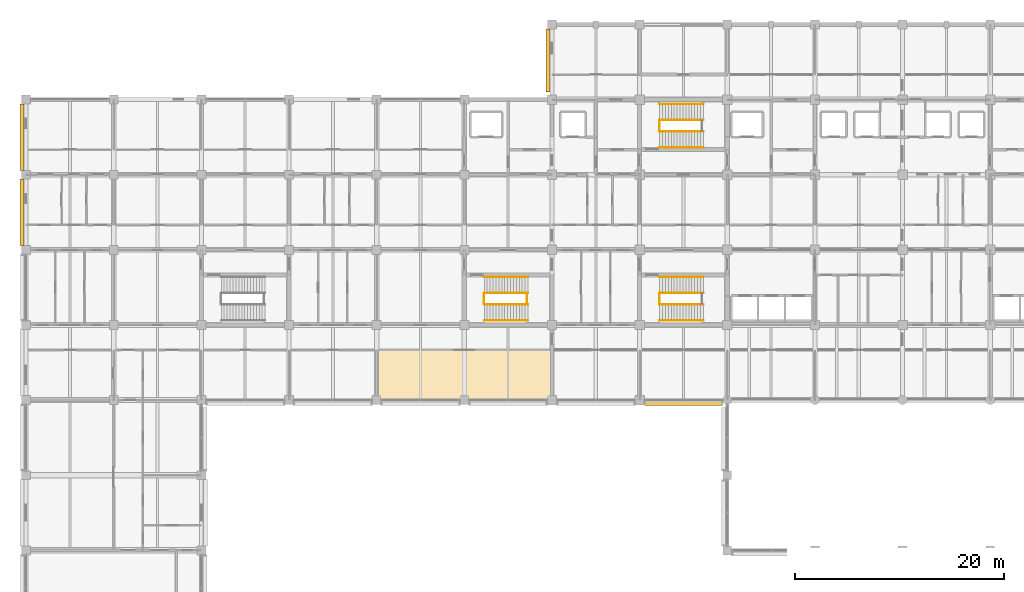
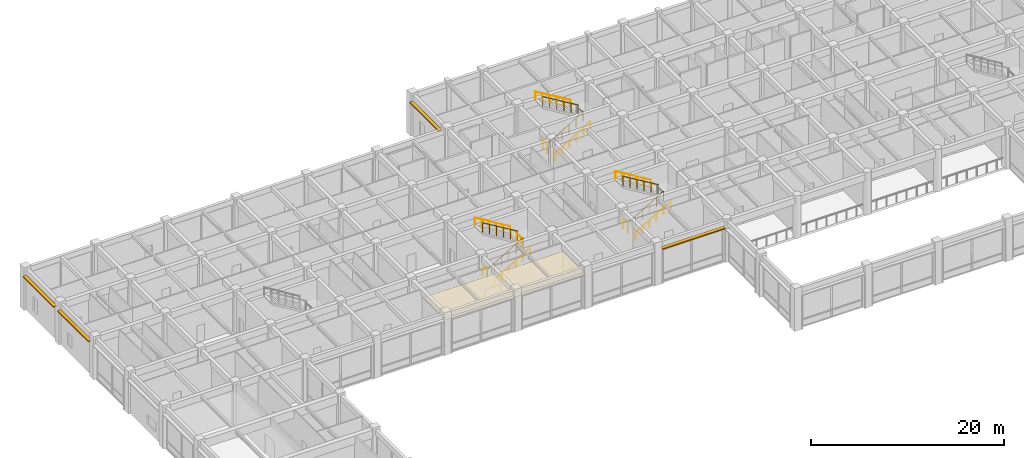
# One storey, part 47 of 51: 16 railings, 4 shading devices, 1 covering.
"""IFC4 building model written with IfcOpenShell, lengths in metres."""

from ifc_helpers import new_model, si_unit, direction, frame, origin, origin_2d, place, context, subcontext, project, spatial, polyline, rectangle, circle, outline, extrude, material, layer, layer_set, type_object, element, save


model = new_model("IFC4")

# Units and contexts
model_context = context("Model", 3, precision=1e-05, world=origin(), true_north=direction((0.0, 1.0)))
body_context = subcontext(model_context, "Body", "Model", "MODEL_VIEW")
ifc_project = project(units=[si_unit("LENGTHUNIT", "METRE"), si_unit("AREAUNIT", "SQUARE_METRE"), si_unit("VOLUMEUNIT", "CUBIC_METRE"), si_unit("PLANEANGLEUNIT", "RADIAN"), si_unit("MASSUNIT", "GRAM", prefix="KILO")], contexts=[model_context])

# Site, building, storey
site_placement = place(None, origin())
site = spatial("IfcSite", under=ifc_project, at=site_placement, CompositionType="ELEMENT")
building_placement = place(site_placement, origin())
building = spatial("IfcBuilding", under=site, at=building_placement, Name="Chengyuan Square Courthouse", CompositionType="ELEMENT")
storey_placement = place(building_placement, frame((0.0, 0.0, 10.800048828125)))
storey = spatial("IfcBuildingStorey", under=building, at=storey_placement, Name="L03", CompositionType="ELEMENT", Elevation=10.800048828125)

# Covering
ifc_material_1 = material(Name="Perforated Larch Glulam Acoustic Slat Ceiling", Category="wood")
ifc_layer = layer(ifc_material_1, 0.044921875)
ifc_layer_set = layer_set([ifc_layer], Name="Perforated Larch Glulam Acoustic Slat Ceiling")
covering_type = type_object("IfcCoveringType", Name="CLG-01", PredefinedType="CEILING", material=ifc_layer_set)
covering_placement = place(storey_placement, frame((0.0, 0.0, 4.02001953125)))
element("IfcCovering", 1, at=covering_placement, inside=storey, type_object=covering_type, Name="Acoustic Timber Slat Ceiling CLG-L03-CRT-303", PredefinedType="CEILING", context=body_context, shape_type="SweptSolid", body=[
    extrude(outline(polyline([(33.64990234375, 79.25), (50.35009765625, 79.25), (50.35009765625, 83.949951171875), (33.64990234375, 83.949951171875), (33.64990234375, 79.25)])), origin(), (0.0, 0.0, 1.0), 0.044921875),
])

# Railings
ifc_material_2 = material(Name="Tempered Glass and Timber Top-Rail Balustrade", Category="wood")
railing_type_1 = type_object("IfcRailingType", Name="RL-02", PredefinedType="BALUSTRADE", material=ifc_material_2)
railing_1_placement = place(storey_placement, frame((60.68994140625, 105.0, 0.0)))
element("IfcRailing", 2, at=railing_1_placement, inside=storey, type_object=railing_type_1, Name="Stair Floor Slot Guard ST-1 L03", PredefinedType="BALUSTRADE", context=body_context, shape_type="SweptSolid", body=[
    extrude(circle(Radius=0.02392578125, at=origin_2d()), frame((0.0, 0.0, 1.17578125), z_axis=(0.0, 1.0, 0.0), x_axis=(-1.0, 0.0, 0.0)), (0.0, 0.0, 1.0), 1.0),
    extrude(circle(Radius=0.02099609375, at=origin_2d()), origin(), (0.0, 0.0, 1.0), 1.15185546875),
    extrude(circle(Radius=0.02099609375, at=origin_2d()), frame((0.0, 1.0, 0.0)), (0.0, 0.0, 1.0), 1.15185546875),
])
railing_2_placement = place(storey_placement, frame((60.7099609375, 104.949951171875, 0.168701171875)))
element("IfcRailing", 3, at=railing_2_placement, inside=storey, type_object=railing_type_1, Name="Stair Flight 1 Guard ST-1-L03", PredefinedType="BALUSTRADE", context=body_context, shape_type="SweptSolid", body=[
    extrude(circle(Radius=0.02392578125, at=origin_2d()), frame((0.0, 0.0, 1.17578125), z_axis=(0.856476492594, 0.0, 0.516186030065), x_axis=(0.0, 1.0, 0.0)), (0.0, 0.0, 1.0), 4.90380859375),
    extrude(circle(Radius=0.02099609375, at=origin_2d()), origin(), (0.0, 0.0, 1.0), 1.15185546875),
    extrude(circle(Radius=0.02099609375, at=origin_2d()), frame((0.840087890625, 0.0, 0.50634765625)), (0.0, 0.0, 1.0), 1.15185546875),
    extrude(circle(Radius=0.02099609375, at=origin_2d()), frame((1.679931640625, 0.0, 1.012451171875)), (0.0, 0.0, 1.0), 1.15185546875),
    extrude(circle(Radius=0.02099609375, at=origin_2d()), frame((2.52001953125, 0.0, 1.518798828125)), (0.0, 0.0, 1.0), 1.15185546875),
    extrude(circle(Radius=0.02099609375, at=origin_2d()), frame((3.35986328125, 0.0, 2.02490234375)), (0.0, 0.0, 1.0), 1.15185546875),
    extrude(circle(Radius=0.02099609375, at=origin_2d()), frame((4.199951171875, 0.0, 2.53125)), (0.0, 0.0, 1.0), 1.15185546875),
])
railing_3_placement = place(storey_placement, frame((64.909912109375, 106.050048828125, 2.86865234375)))
element("IfcRailing", 4, at=railing_3_placement, inside=storey, type_object=railing_type_1, Name="Stair Flight 2 Guard ST-1-L03", PredefinedType="BALUSTRADE", context=body_context, shape_type="SweptSolid", body=[
    extrude(circle(Radius=0.02392578125, at=origin_2d()), frame((0.0, 0.0, 1.17578125), z_axis=(-0.856476492594, 0.0, 0.516186030065), x_axis=(0.0, -1.0, 0.0)), (0.0, 0.0, 1.0), 4.90380859375),
    extrude(circle(Radius=0.02099609375, at=origin_2d()), origin(), (0.0, 0.0, 1.0), 1.15185546875),
    extrude(circle(Radius=0.02099609375, at=origin_2d()), frame((-0.840087890625, 0.0, 0.50634765625)), (0.0, 0.0, 1.0), 1.15185546875),
    extrude(circle(Radius=0.02099609375, at=origin_2d()), frame((-1.679931640625, 0.0, 1.012451171875)), (0.0, 0.0, 1.0), 1.15185546875),
    extrude(circle(Radius=0.02099609375, at=origin_2d()), frame((-2.52001953125, 0.0, 1.518798828125)), (0.0, 0.0, 1.0), 1.15185546875),
    extrude(circle(Radius=0.02099609375, at=origin_2d()), frame((-3.35986328125, 0.0, 2.02490234375)), (0.0, 0.0, 1.0), 1.15185546875),
    extrude(circle(Radius=0.02099609375, at=origin_2d()), frame((-4.199951171875, 0.0, 2.53125)), (0.0, 0.0, 1.0), 1.15185546875),
])
railing_4_placement = place(storey_placement, frame((60.68994140625, 88.39990234375, 0.0)))
element("IfcRailing", 5, at=railing_4_placement, inside=storey, type_object=railing_type_1, Name="Stair Floor Slot Guard ST-3 L03", PredefinedType="BALUSTRADE", context=body_context, shape_type="SweptSolid", body=[
    extrude(circle(Radius=0.02392578125, at=origin_2d()), frame((0.0, 0.0, 1.17578125), z_axis=(0.0, 1.0, 0.0), x_axis=(-1.0, 0.0, 0.0)), (0.0, 0.0, 1.0), 1.0),
    extrude(circle(Radius=0.02099609375, at=origin_2d()), origin(), (0.0, 0.0, 1.0), 1.15185546875),
    extrude(circle(Radius=0.02099609375, at=origin_2d()), frame((0.0, 1.0, 0.0)), (0.0, 0.0, 1.0), 1.15185546875),
])
railing_5_placement = place(storey_placement, frame((60.7099609375, 88.35009765625, 0.168701171875)))
element("IfcRailing", 6, at=railing_5_placement, inside=storey, type_object=railing_type_1, Name="Stair Flight 1 Guard ST-3-L03", PredefinedType="BALUSTRADE", context=body_context, shape_type="SweptSolid", body=[
    extrude(circle(Radius=0.02392578125, at=origin_2d()), frame((0.0, 0.0, 1.17578125), z_axis=(0.856476492594, 0.0, 0.516186030065), x_axis=(0.0, 1.0, 0.0)), (0.0, 0.0, 1.0), 4.90380859375),
    extrude(circle(Radius=0.02099609375, at=origin_2d()), origin(), (0.0, 0.0, 1.0), 1.15185546875),
    extrude(circle(Radius=0.02099609375, at=origin_2d()), frame((0.840087890625, 0.0, 0.50634765625)), (0.0, 0.0, 1.0), 1.15185546875),
    extrude(circle(Radius=0.02099609375, at=origin_2d()), frame((1.679931640625, 0.0, 1.012451171875)), (0.0, 0.0, 1.0), 1.15185546875),
    extrude(circle(Radius=0.02099609375, at=origin_2d()), frame((2.52001953125, 0.0, 1.518798828125)), (0.0, 0.0, 1.0), 1.15185546875),
    extrude(circle(Radius=0.02099609375, at=origin_2d()), frame((3.35986328125, 0.0, 2.02490234375)), (0.0, 0.0, 1.0), 1.15185546875),
    extrude(circle(Radius=0.02099609375, at=origin_2d()), frame((4.199951171875, 0.0, 2.53125)), (0.0, 0.0, 1.0), 1.15185546875),
])
railing_6_placement = place(storey_placement, frame((64.909912109375, 89.449951171875, 2.86865234375)))
element("IfcRailing", 7, at=railing_6_placement, inside=storey, type_object=railing_type_1, Name="Stair Flight 2 Guard ST-3-L03", PredefinedType="BALUSTRADE", context=body_context, shape_type="SweptSolid", body=[
    extrude(circle(Radius=0.02392578125, at=origin_2d()), frame((0.0, 0.0, 1.17578125), z_axis=(-0.856476492594, 0.0, 0.516186030065), x_axis=(0.0, -1.0, 0.0)), (0.0, 0.0, 1.0), 4.90380859375),
    extrude(circle(Radius=0.02099609375, at=origin_2d()), origin(), (0.0, 0.0, 1.0), 1.15185546875),
    extrude(circle(Radius=0.02099609375, at=origin_2d()), frame((-0.840087890625, 0.0, 0.50634765625)), (0.0, 0.0, 1.0), 1.15185546875),
    extrude(circle(Radius=0.02099609375, at=origin_2d()), frame((-1.679931640625, 0.0, 1.012451171875)), (0.0, 0.0, 1.0), 1.15185546875),
    extrude(circle(Radius=0.02099609375, at=origin_2d()), frame((-2.52001953125, 0.0, 1.518798828125)), (0.0, 0.0, 1.0), 1.15185546875),
    extrude(circle(Radius=0.02099609375, at=origin_2d()), frame((-3.35986328125, 0.0, 2.02490234375)), (0.0, 0.0, 1.0), 1.15185546875),
    extrude(circle(Radius=0.02099609375, at=origin_2d()), frame((-4.199951171875, 0.0, 2.53125)), (0.0, 0.0, 1.0), 1.15185546875),
])
for number, where, name in (
    (8, (43.889892578125, 88.39990234375, 0.0), "Stair Floor Slot Guard ST-5 L03"),
    (9, (47.989990234375, 88.39990234375, 2.699951171875), "Stair Landing Guard ST-5-L03"),
):
    element("IfcRailing", number, at=place(storey_placement, frame(where)), inside=storey, type_object=railing_type_1, Name=name, PredefinedType="BALUSTRADE", context=body_context, shape_type="SweptSolid", body=[
        extrude(circle(Radius=0.02392578125, at=origin_2d()), frame((0.0, 0.0, 1.17578125), z_axis=(0.0, 1.0, 0.0), x_axis=(-1.0, 0.0, 0.0)), (0.0, 0.0, 1.0), 1.0),
        extrude(circle(Radius=0.02099609375, at=origin_2d()), origin(), (0.0, 0.0, 1.0), 1.15185546875),
        extrude(circle(Radius=0.02099609375, at=origin_2d()), frame((0.0, 1.0, 0.0)), (0.0, 0.0, 1.0), 1.15185546875),
    ])
railing_7_placement = place(storey_placement, frame((43.909912109375, 88.35009765625, 0.168701171875)))
element("IfcRailing", 10, at=railing_7_placement, inside=storey, type_object=railing_type_1, Name="Stair Flight 1 Guard ST-5-L03", PredefinedType="BALUSTRADE", context=body_context, shape_type="SweptSolid", body=[
    extrude(circle(Radius=0.02392578125, at=origin_2d()), frame((0.0, 0.0, 1.17578125), z_axis=(0.856489757249, 0.0, 0.516164020179), x_axis=(0.0, 1.0, 0.0)), (0.0, 0.0, 1.0), 4.904052734375),
    extrude(circle(Radius=0.02099609375, at=origin_2d()), origin(), (0.0, 0.0, 1.0), 1.15185546875),
    extrude(circle(Radius=0.02099609375, at=origin_2d()), frame((0.840087890625, 0.0, 0.50634765625)), (0.0, 0.0, 1.0), 1.15185546875),
    extrude(circle(Radius=0.02099609375, at=origin_2d()), frame((1.68017578125, 0.0, 1.012451171875)), (0.0, 0.0, 1.0), 1.15185546875),
    extrude(circle(Radius=0.02099609375, at=origin_2d()), frame((2.52001953125, 0.0, 1.518798828125)), (0.0, 0.0, 1.0), 1.15185546875),
    extrude(circle(Radius=0.02099609375, at=origin_2d()), frame((3.360107421875, 0.0, 2.02490234375)), (0.0, 0.0, 1.0), 1.15185546875),
    extrude(circle(Radius=0.02099609375, at=origin_2d()), frame((4.2001953125, 0.0, 2.53125)), (0.0, 0.0, 1.0), 1.15185546875),
])
railing_8_placement = place(storey_placement, frame((48.110107421875, 89.449951171875, 2.86865234375)))
element("IfcRailing", 11, at=railing_8_placement, inside=storey, type_object=railing_type_1, Name="Stair Flight 2 Guard ST-5-L03", PredefinedType="BALUSTRADE", context=body_context, shape_type="SweptSolid", body=[
    extrude(circle(Radius=0.02392578125, at=origin_2d()), frame((0.0, 0.0, 1.17578125), z_axis=(-0.856489757249, 0.0, 0.516164020179), x_axis=(0.0, -1.0, 0.0)), (0.0, 0.0, 1.0), 4.904052734375),
    extrude(circle(Radius=0.02099609375, at=origin_2d()), origin(), (0.0, 0.0, 1.0), 1.15185546875),
    extrude(circle(Radius=0.02099609375, at=origin_2d()), frame((-0.840087890625, 0.0, 0.50634765625)), (0.0, 0.0, 1.0), 1.15185546875),
    extrude(circle(Radius=0.02099609375, at=origin_2d()), frame((-1.68017578125, 0.0, 1.012451171875)), (0.0, 0.0, 1.0), 1.15185546875),
    extrude(circle(Radius=0.02099609375, at=origin_2d()), frame((-2.52001953125, 0.0, 1.518798828125)), (0.0, 0.0, 1.0), 1.15185546875),
    extrude(circle(Radius=0.02099609375, at=origin_2d()), frame((-3.360107421875, 0.0, 2.02490234375)), (0.0, 0.0, 1.0), 1.15185546875),
    extrude(circle(Radius=0.02099609375, at=origin_2d()), frame((-4.2001953125, 0.0, 2.53125)), (0.0, 0.0, 1.0), 1.15185546875),
])
ifc_material_3 = material(Name="Stainless Steel S30408 Stair Handrail", Category="steel")
railing_type_2 = type_object("IfcRailingType", Name="RL-04", PredefinedType="HANDRAIL", material=ifc_material_3)
railing_9_placement = place(storey_placement, frame((60.7099609375, 103.419921875, 0.168701171875)))
element("IfcRailing", 12, at=railing_9_placement, inside=storey, type_object=railing_type_2, Name="Stair Flight 1 Handrail ST-1-L03", PredefinedType="HANDRAIL", context=body_context, shape_type="SweptSolid", body=[
    extrude(circle(Radius=0.02392578125, at=origin_2d()), frame((0.0, 0.0, 0.8759765625), z_axis=(0.856476492594, 0.0, 0.516186030065), x_axis=(0.0, 1.0, 0.0)), (0.0, 0.0, 1.0), 4.90380859375),
    extrude(circle(Radius=0.02099609375, at=origin_2d()), origin(), (0.0, 0.0, 1.0), 0.851806640625),
    extrude(circle(Radius=0.02099609375, at=origin_2d()), frame((0.840087890625, 0.0, 0.50634765625)), (0.0, 0.0, 1.0), 0.851806640625),
    extrude(circle(Radius=0.02099609375, at=origin_2d()), frame((1.679931640625, 0.0, 1.012451171875)), (0.0, 0.0, 1.0), 0.851806640625),
    extrude(circle(Radius=0.02099609375, at=origin_2d()), frame((2.52001953125, 0.0, 1.518798828125)), (0.0, 0.0, 1.0), 0.851806640625),
    extrude(circle(Radius=0.02099609375, at=origin_2d()), frame((3.35986328125, 0.0, 2.02490234375)), (0.0, 0.0, 1.0), 0.851806640625),
    extrude(circle(Radius=0.02099609375, at=origin_2d()), frame((4.199951171875, 0.0, 2.53125)), (0.0, 0.0, 1.0), 0.851806640625),
])
railing_10_placement = place(storey_placement, frame((64.909912109375, 107.580078125, 2.86865234375)))
element("IfcRailing", 13, at=railing_10_placement, inside=storey, type_object=railing_type_2, Name="Stair Flight 2 Handrail ST-1-L03", PredefinedType="HANDRAIL", context=body_context, shape_type="SweptSolid", body=[
    extrude(circle(Radius=0.02392578125, at=origin_2d()), frame((0.0, 0.0, 0.8759765625), z_axis=(-0.856476492594, 0.0, 0.516186030065), x_axis=(0.0, -1.0, 0.0)), (0.0, 0.0, 1.0), 4.90380859375),
    extrude(circle(Radius=0.02099609375, at=origin_2d()), origin(), (0.0, 0.0, 1.0), 0.851806640625),
    extrude(circle(Radius=0.02099609375, at=origin_2d()), frame((-0.840087890625, 0.0, 0.50634765625)), (0.0, 0.0, 1.0), 0.851806640625),
    extrude(circle(Radius=0.02099609375, at=origin_2d()), frame((-1.679931640625, 0.0, 1.012451171875)), (0.0, 0.0, 1.0), 0.851806640625),
    extrude(circle(Radius=0.02099609375, at=origin_2d()), frame((-2.52001953125, 0.0, 1.518798828125)), (0.0, 0.0, 1.0), 0.851806640625),
    extrude(circle(Radius=0.02099609375, at=origin_2d()), frame((-3.35986328125, 0.0, 2.02490234375)), (0.0, 0.0, 1.0), 0.851806640625),
    extrude(circle(Radius=0.02099609375, at=origin_2d()), frame((-4.199951171875, 0.0, 2.53125)), (0.0, 0.0, 1.0), 0.851806640625),
])
railing_11_placement = place(storey_placement, frame((60.7099609375, 86.820068359375, 0.168701171875)))
element("IfcRailing", 14, at=railing_11_placement, inside=storey, type_object=railing_type_2, Name="Stair Flight 1 Handrail ST-3-L03", PredefinedType="HANDRAIL", context=body_context, shape_type="SweptSolid", body=[
    extrude(circle(Radius=0.02392578125, at=origin_2d()), frame((0.0, 0.0, 0.8759765625), z_axis=(0.856476492594, 0.0, 0.516186030065), x_axis=(0.0, 1.0, 0.0)), (0.0, 0.0, 1.0), 4.90380859375),
    extrude(circle(Radius=0.02099609375, at=origin_2d()), origin(), (0.0, 0.0, 1.0), 0.851806640625),
    extrude(circle(Radius=0.02099609375, at=origin_2d()), frame((0.840087890625, 0.0, 0.50634765625)), (0.0, 0.0, 1.0), 0.851806640625),
    extrude(circle(Radius=0.02099609375, at=origin_2d()), frame((1.679931640625, 0.0, 1.012451171875)), (0.0, 0.0, 1.0), 0.851806640625),
    extrude(circle(Radius=0.02099609375, at=origin_2d()), frame((2.52001953125, 0.0, 1.518798828125)), (0.0, 0.0, 1.0), 0.851806640625),
    extrude(circle(Radius=0.02099609375, at=origin_2d()), frame((3.35986328125, 0.0, 2.02490234375)), (0.0, 0.0, 1.0), 0.851806640625),
    extrude(circle(Radius=0.02099609375, at=origin_2d()), frame((4.199951171875, 0.0, 2.53125)), (0.0, 0.0, 1.0), 0.851806640625),
])
railing_12_placement = place(storey_placement, frame((64.909912109375, 90.97998046875, 2.86865234375)))
element("IfcRailing", 15, at=railing_12_placement, inside=storey, type_object=railing_type_2, Name="Stair Flight 2 Handrail ST-3-L03", PredefinedType="HANDRAIL", context=body_context, shape_type="SweptSolid", body=[
    extrude(circle(Radius=0.02392578125, at=origin_2d()), frame((0.0, 0.0, 0.8759765625), z_axis=(-0.856476492594, 0.0, 0.516186030065), x_axis=(0.0, -1.0, 0.0)), (0.0, 0.0, 1.0), 4.90380859375),
    extrude(circle(Radius=0.02099609375, at=origin_2d()), origin(), (0.0, 0.0, 1.0), 0.851806640625),
    extrude(circle(Radius=0.02099609375, at=origin_2d()), frame((-0.840087890625, 0.0, 0.50634765625)), (0.0, 0.0, 1.0), 0.851806640625),
    extrude(circle(Radius=0.02099609375, at=origin_2d()), frame((-1.679931640625, 0.0, 1.012451171875)), (0.0, 0.0, 1.0), 0.851806640625),
    extrude(circle(Radius=0.02099609375, at=origin_2d()), frame((-2.52001953125, 0.0, 1.518798828125)), (0.0, 0.0, 1.0), 0.851806640625),
    extrude(circle(Radius=0.02099609375, at=origin_2d()), frame((-3.35986328125, 0.0, 2.02490234375)), (0.0, 0.0, 1.0), 0.851806640625),
    extrude(circle(Radius=0.02099609375, at=origin_2d()), frame((-4.199951171875, 0.0, 2.53125)), (0.0, 0.0, 1.0), 0.851806640625),
])
railing_13_placement = place(storey_placement, frame((43.909912109375, 86.820068359375, 0.168701171875)))
element("IfcRailing", 16, at=railing_13_placement, inside=storey, type_object=railing_type_2, Name="Stair Flight 1 Handrail ST-5-L03", PredefinedType="HANDRAIL", context=body_context, shape_type="SweptSolid", body=[
    extrude(circle(Radius=0.02392578125, at=origin_2d()), frame((0.0, 0.0, 0.8759765625), z_axis=(0.856489757249, 0.0, 0.516164020179), x_axis=(0.0, 1.0, 0.0)), (0.0, 0.0, 1.0), 4.904052734375),
    extrude(circle(Radius=0.02099609375, at=origin_2d()), origin(), (0.0, 0.0, 1.0), 0.851806640625),
    extrude(circle(Radius=0.02099609375, at=origin_2d()), frame((0.840087890625, 0.0, 0.50634765625)), (0.0, 0.0, 1.0), 0.851806640625),
    extrude(circle(Radius=0.02099609375, at=origin_2d()), frame((1.68017578125, 0.0, 1.012451171875)), (0.0, 0.0, 1.0), 0.851806640625),
    extrude(circle(Radius=0.02099609375, at=origin_2d()), frame((2.52001953125, 0.0, 1.518798828125)), (0.0, 0.0, 1.0), 0.851806640625),
    extrude(circle(Radius=0.02099609375, at=origin_2d()), frame((3.360107421875, 0.0, 2.02490234375)), (0.0, 0.0, 1.0), 0.851806640625),
    extrude(circle(Radius=0.02099609375, at=origin_2d()), frame((4.2001953125, 0.0, 2.53125)), (0.0, 0.0, 1.0), 0.851806640625),
])
railing_14_placement = place(storey_placement, frame((48.110107421875, 90.97998046875, 2.86865234375)))
element("IfcRailing", 17, at=railing_14_placement, inside=storey, type_object=railing_type_2, Name="Stair Flight 2 Handrail ST-5-L03", PredefinedType="HANDRAIL", context=body_context, shape_type="SweptSolid", body=[
    extrude(circle(Radius=0.02392578125, at=origin_2d()), frame((0.0, 0.0, 0.8759765625), z_axis=(-0.856489757249, 0.0, 0.516164020179), x_axis=(0.0, -1.0, 0.0)), (0.0, 0.0, 1.0), 4.904052734375),
    extrude(circle(Radius=0.02099609375, at=origin_2d()), origin(), (0.0, 0.0, 1.0), 0.851806640625),
    extrude(circle(Radius=0.02099609375, at=origin_2d()), frame((-0.840087890625, 0.0, 0.50634765625)), (0.0, 0.0, 1.0), 0.851806640625),
    extrude(circle(Radius=0.02099609375, at=origin_2d()), frame((-1.68017578125, 0.0, 1.012451171875)), (0.0, 0.0, 1.0), 0.851806640625),
    extrude(circle(Radius=0.02099609375, at=origin_2d()), frame((-2.52001953125, 0.0, 1.518798828125)), (0.0, 0.0, 1.0), 0.851806640625),
    extrude(circle(Radius=0.02099609375, at=origin_2d()), frame((-3.360107421875, 0.0, 2.02490234375)), (0.0, 0.0, 1.0), 0.851806640625),
    extrude(circle(Radius=0.02099609375, at=origin_2d()), frame((-4.2001953125, 0.0, 2.53125)), (0.0, 0.0, 1.0), 0.851806640625),
])

# Shading devices
ifc_material_4 = material(Name="Glulam TCt28 Sunshade Louvre", Category="wood")
shading_device_type_1 = type_object("IfcShadingDeviceType", Name="SHD-02", PredefinedType="AWNING", material=ifc_material_4)
shading_device_1_placement = place(storey_placement, frame((63.012451171875, 78.89794921875, 4.2998046875), z_axis=(0.0, 0.0, 1.0), x_axis=(1.0, 0.0, 0.0)))
element("IfcShadingDevice", 18, at=shading_device_1_placement, inside=storey, type_object=shading_device_type_1, Name="Glulam Sunshade Louvre SHD-L03-0337", PredefinedType="AWNING", context=body_context, shape_type="SweptSolid", body=[
    extrude(rectangle(XDim=7.52490234375, YDim=0.43994140625, at=origin_2d()), origin(), (0.0, 0.0, 1.0), 0.139892578125),
])
ifc_material_5 = material(Name="Glulam TCt28 Facade Sunshade", Category="wood")
shading_device_type_2 = type_object("IfcShadingDeviceType", Name="SHD-03", PredefinedType="AWNING", material=ifc_material_5)
for number, where, z_axis, x_axis, name in (
    (19, (-0.382080078125, 97.199951171875, 4.27978515625), (0.0, 0.0, 1.0), (0.0, 1.0, 0.0), "Glulam Facade Sunshade SHD-L03-0307"),
    (20, (-0.382080078125, 104.39990234375, 4.27978515625), (0.0, 0.0, 1.0), (0.0, 1.0, 0.0), "Glulam Facade Sunshade SHD-L03-0308"),
):
    element("IfcShadingDevice", number, at=place(storey_placement, frame(where, z_axis=z_axis, x_axis=x_axis)), inside=storey, type_object=shading_device_type_2, Name=name, PredefinedType="AWNING", context=body_context, shape_type="SweptSolid", body=[
        extrude(rectangle(XDim=6.360107421875, YDim=0.39990234375, at=origin_2d()), origin(), (0.0, 0.0, 1.0), 0.139892578125),
    ])
shading_device_2_placement = place(storey_placement, frame((50.01806640625, 111.762451171875, 4.27978515625), z_axis=(0.0, 0.0, 1.0), x_axis=(0.0, 1.0, 0.0)))
element("IfcShadingDevice", 21, at=shading_device_2_placement, inside=storey, type_object=shading_device_type_2, Name="Glulam Facade Sunshade SHD-L03-0334", PredefinedType="AWNING", context=body_context, shape_type="SweptSolid", body=[
    extrude(rectangle(XDim=6.034912109375, YDim=0.39990234375, at=origin_2d()), origin(), (0.0, 0.0, 1.0), 0.139892578125),
])

save(model, "model.ifc")
